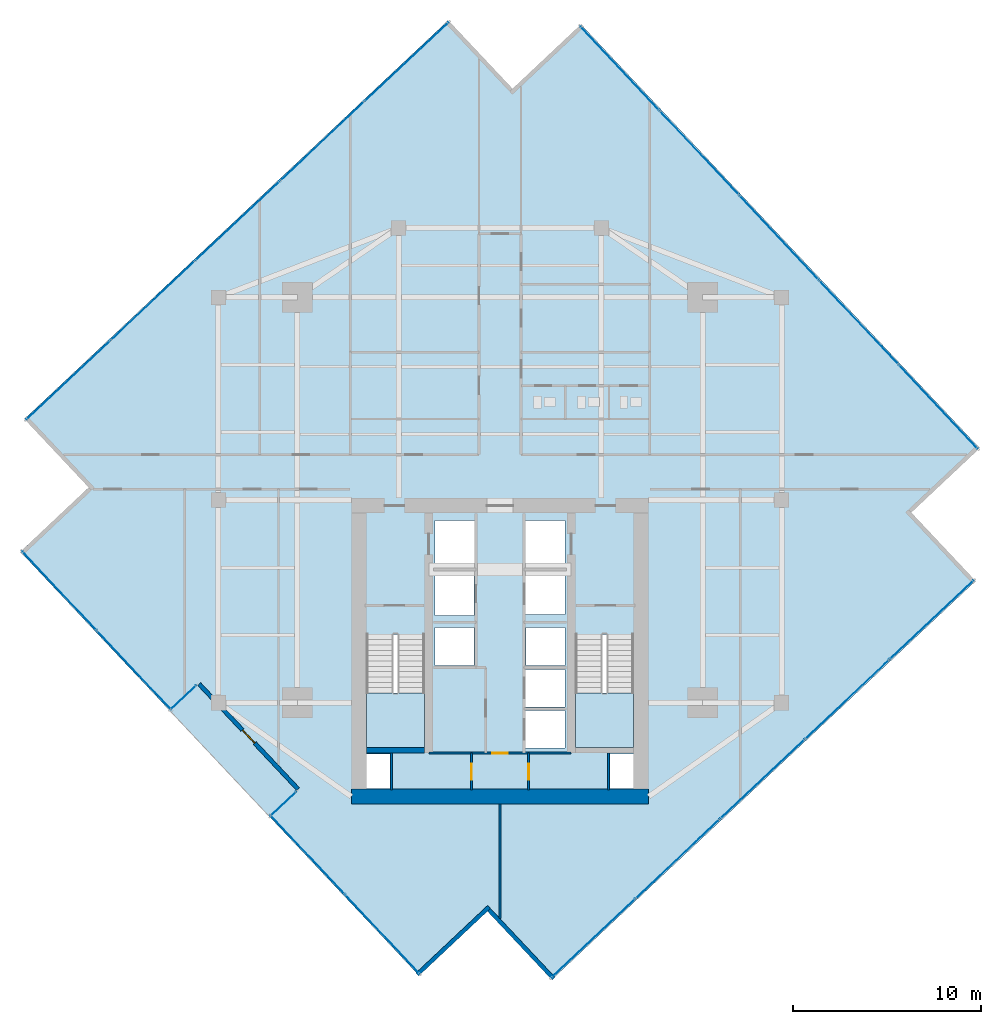
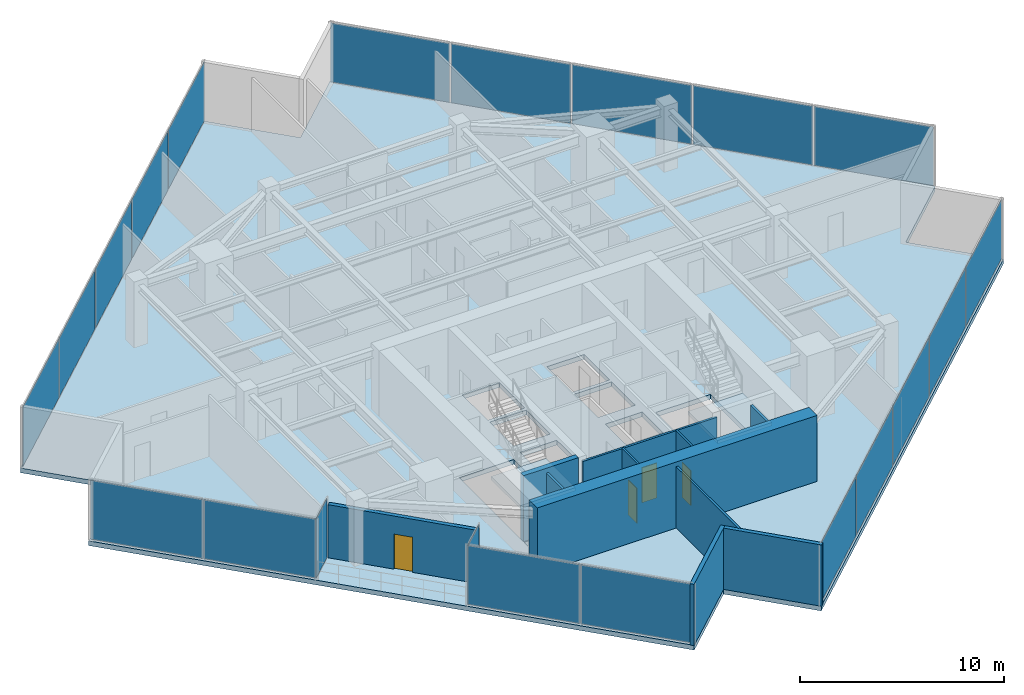
# One storey, part 20 of 25: 21 plates, 11 walls, 4 doors, 3 slabs, 4 openings, 9 elements without a shape of their own.
"""IFC4 building model written with IfcOpenShell, lengths in metres."""

from ifc_helpers import new_model, si_unit, direction, frame, frame_2d, origin, origin_2d, place, context, subcontext, project, spatial, polyline, rectangle, outline, extrude, source, transform, mapped, material, layer, layer_set, type_object, type_shapes, element, fill, aggregate, save


model = new_model("IFC4")

# Units and contexts
model_context = context("Model", 3, precision=1e-05, world=origin(), true_north=direction((0.0, 1.0)))
body_context = subcontext(model_context, "Body", "Model", "MODEL_VIEW")
ifc_project = project(units=[si_unit("LENGTHUNIT", "METRE"), si_unit("AREAUNIT", "SQUARE_METRE"), si_unit("VOLUMEUNIT", "CUBIC_METRE"), si_unit("PLANEANGLEUNIT", "RADIAN"), si_unit("MASSUNIT", "GRAM", prefix="KILO")], contexts=[model_context])

# Site, building, storey
site_placement = place(None, origin())
site = spatial("IfcSite", under=ifc_project, at=site_placement, CompositionType="ELEMENT")
building_placement = place(site_placement, origin())
building = spatial("IfcBuilding", under=site, at=building_placement, Name="Krantzveldt Concourse Tower", CompositionType="ELEMENT")
storey_placement = place(building_placement, frame((0.0, 0.0, 238.89990234375)))
storey = spatial("IfcBuildingStorey", under=building, at=storey_placement, Name="L58", CompositionType="ELEMENT", Elevation=238.89990234375)

# Stair, slab
ifc_material_1 = material(Name="Precast concrete C40/50", Category="concrete")
stair_type = type_object("IfcStairType", Name="STR-CORE-DOGLEG", PredefinedType="HALF_TURN_STAIR", material=ifc_material_1)
stair_1_placement = place(storey_placement, origin())
stair_1 = element("IfcStair", 1, at=stair_1_placement, inside=storey, type_object=stair_type, Name="L58 Protected Escape Stair ST-1", PredefinedType="HALF_TURN_STAIR")
ifc_layer_1 = layer(ifc_material_1, 0.199951171875, Name="Precast concrete C40/50", Category="concrete")
ifc_layer_set_1 = layer_set([ifc_layer_1], Name="Precast concrete C40/50 (SL-LANDING-200)")
slab_type_1 = type_object("IfcSlabType", Name="SL-LANDING-200", PredefinedType="LANDING", material=ifc_layer_set_1)
slab_1_placement = place(storey_placement, frame((0.0, 0.0, 1.775146484375)))
slab_1 = element("IfcSlab", 2, at=slab_1_placement, type_object=slab_type_1, Name="ST-1 landing 1", PredefinedType="LANDING", context=body_context, shape_type="SweptSolid", body=[
    extrude(outline(polyline([(28.8798828125, 16.4150390625), (28.8798828125, 13.52001953125), (31.97998046875, 13.52001953125), (31.97998046875, 16.4150390625), (28.8798828125, 16.4150390625)])), origin(), (0.0, 0.0, 1.0), 0.199951171875),
])
aggregate(stair_1, [slab_1])

stair_2_placement = place(storey_placement, origin())
stair_2 = element("IfcStair", 3, at=stair_2_placement, inside=storey, type_object=stair_type, Name="L58 Protected Escape Stair ST-2", PredefinedType="HALF_TURN_STAIR")
slab_2_placement = place(storey_placement, frame((0.0, 0.0, 1.775146484375)))
slab_2 = element("IfcSlab", 4, at=slab_2_placement, type_object=slab_type_1, Name="ST-2 landing 1", PredefinedType="LANDING", context=body_context, shape_type="SweptSolid", body=[
    extrude(outline(polyline([(40.02001953125, 16.4150390625), (40.02001953125, 13.52001953125), (43.1201171875, 13.52001953125), (43.1201171875, 16.4150390625), (40.02001953125, 16.4150390625)])), origin(), (0.0, 0.0, 1.0), 0.199951171875),
])
aggregate(stair_2, [slab_2])

# Slab
ifc_material_2 = material(Name="Concrete C40/50", Category="concrete")
ifc_layer_2 = layer(ifc_material_2, 0.280029296875, Name="Concrete C40/50", Category="concrete")
ifc_layer_set_2 = layer_set([ifc_layer_2], Name="Concrete C40/50 (SL-SL-TER280)")
slab_type_2 = type_object("IfcSlabType", Name="SL-SL-TER280", PredefinedType="FLOOR", material=ifc_layer_set_2)
slab_3_placement = place(storey_placement, frame((0.0, 0.0, -0.27978515625)))
element("IfcSlab", 5, at=slab_3_placement, inside=storey, type_object=slab_type_2, Name="SL-L58-MAIN", PredefinedType="FLOOR", context=body_context, shape_type="SweptSolid", body=[
    extrude(outline(polyline([(36.66943359375, 48.610107421875), (33.243408203125, 52.251953125), (10.6640625, 31.01123046875), (14.08984375, 27.369384765625), (10.447998046875, 23.943603515625), (31.688720703125, 1.364013671875), (35.33056640625, 4.789794921875), (38.756591796875, 1.14794921875), (61.3359375, 22.388671875), (57.91015625, 26.030517578125), (61.552001953125, 29.45654296875), (40.311279296875, 52.035888671875), (36.66943359375, 48.610107421875)]), holes=[polyline([(28.8798828125, 19.547607421875), (28.8798828125, 13.52001953125), (31.97998046875, 13.52001953125), (31.97998046875, 19.547607421875), (28.8798828125, 19.547607421875)]), polyline([(40.02001953125, 19.547607421875), (40.02001953125, 13.52001953125), (43.1201171875, 13.52001953125), (43.1201171875, 19.547607421875), (40.02001953125, 19.547607421875)]), polyline([(32.550048828125, 23.10009765625), (34.64990234375, 23.10009765625), (34.64990234375, 25.60009765625), (32.550048828125, 25.60009765625), (32.550048828125, 23.10009765625)]), polyline([(37.35009765625, 23.10009765625), (39.449951171875, 23.10009765625), (39.449951171875, 25.60009765625), (37.35009765625, 25.60009765625), (37.35009765625, 23.10009765625)]), polyline([(37.35009765625, 20.60009765625), (39.449951171875, 20.60009765625), (39.449951171875, 22.89990234375), (37.35009765625, 22.89990234375), (37.35009765625, 20.60009765625)]), polyline([(37.35009765625, 13.47998046875), (39.449951171875, 13.47998046875), (39.449951171875, 15.47998046875), (37.35009765625, 15.47998046875), (37.35009765625, 13.47998046875)]), polyline([(37.35009765625, 15.679931640625), (39.449951171875, 15.679931640625), (39.449951171875, 17.679931640625), (37.35009765625, 17.679931640625), (37.35009765625, 15.679931640625)]), polyline([(32.550048828125, 20.550048828125), (34.6201171875, 20.550048828125), (34.6201171875, 22.89990234375), (32.550048828125, 22.89990234375), (32.550048828125, 20.550048828125)]), polyline([(32.550048828125, 17.8798828125), (34.6201171875, 17.8798828125), (34.6201171875, 19.919921875), (32.550048828125, 19.919921875), (32.550048828125, 17.8798828125)]), polyline([(37.3798828125, 17.8798828125), (39.449951171875, 17.8798828125), (39.449951171875, 19.919921875), (37.3798828125, 19.919921875), (37.3798828125, 17.8798828125)]), polyline([(28.8798828125, 11.320068359375), (30.139892578125, 11.320068359375), (30.139892578125, 13.159912109375), (28.8798828125, 13.159912109375), (28.8798828125, 11.320068359375)]), polyline([(41.860107421875, 11.320068359375), (43.1201171875, 11.320068359375), (43.1201171875, 13.159912109375), (41.860107421875, 13.159912109375), (41.860107421875, 11.320068359375)])]), origin(), (0.0, 0.0, 1.0), 0.27978515625),
])

# Curtain wall, plate
ifc_material_3 = material(Name="Anodised aluminium 6063-T6", Category="aluminium")
curtain_wall_type_1 = type_object("IfcCurtainWallType", Name="CW6", PredefinedType="USERDEFINED", material=ifc_material_3)
curtain_wall_1_placement = place(storey_placement, origin())
curtain_wall_1 = element("IfcCurtainWall", 6, at=curtain_wall_1_placement, inside=storey, type_object=curtain_wall_type_1, Name="CW-L58-TR05", ObjectType="UNITISED CURTAIN WALL", PredefinedType="USERDEFINED")
ifc_material_4 = material(Name="Bronze-tinted laminated low-E IGU glass", Category="glass")
ifc_layer_3 = layer(ifc_material_4, 0.031982421875, Name="Bronze-tinted laminated low-E IGU glass", Category="glass")
ifc_layer_set_3 = layer_set([ifc_layer_3], Name="Bronze-tinted laminated low-E IGU glass (CW-GLZ-32)")
plate_type = type_object("IfcPlateType", Name="CW-GLZ-32", PredefinedType="CURTAIN_PANEL", material=ifc_layer_set_3)
shared_shape_1 = source(origin(), body_context, "Body", "SweptSolid", [
    extrude(rectangle(XDim=1.860107421875, YDim=0.031982421875, at=origin_2d()), origin(), (0.0, 0.0, 1.0), 3.530029296875),
])
plate_1_placement = place(storey_placement, frame((19.13134765625, 16.17236328125, 0.0703125), z_axis=(0.0, 0.0, 1.0), x_axis=(0.728372006928, 0.685181887913, 0.0)))
plate_1 = element("IfcPlate", 7, at=plate_1_placement, type_object=plate_type, Name="CW-TERR panel 1.1", PredefinedType="CURTAIN_PANEL", context=body_context, shape_type="MappedRepresentation", body=[
    mapped(shared_shape_1, transform((0.0, 0.0, 0.0), x_axis=(1.0, 0.0, 0.0), y_axis=(0.0, 1.0, 0.0), z_axis=(0.0, 0.0, 1.0), scale=1.0)),
])
aggregate(curtain_wall_1, [plate_1])

curtain_wall_2_placement = place(storey_placement, origin())
curtain_wall_2 = element("IfcCurtainWall", 8, at=curtain_wall_2_placement, inside=storey, type_object=curtain_wall_type_1, Name="CW-L58-TR07", ObjectType="UNITISED CURTAIN WALL", PredefinedType="USERDEFINED")
plate_2_placement = place(storey_placement, frame((24.462158203125, 10.505615234375, 0.0703125), z_axis=(0.0, 0.0, 1.0), x_axis=(-0.728372006928, -0.685181887913, 0.0)))
plate_2 = element("IfcPlate", 9, at=plate_2_placement, type_object=plate_type, Name="CW-TERR panel 1.1", PredefinedType="CURTAIN_PANEL", context=body_context, shape_type="MappedRepresentation", body=[
    mapped(shared_shape_1, transform((0.0, 0.0, 0.0), x_axis=(1.0, 0.0, 0.0), y_axis=(0.0, 1.0, 0.0), z_axis=(0.0, 0.0, 1.0), scale=1.0)),
])
aggregate(curtain_wall_2, [plate_2])

# Curtain wall, plates
curtain_wall_type_2 = type_object("IfcCurtainWallType", Name="CW3", PredefinedType="USERDEFINED", material=ifc_material_3)
curtain_wall_3_placement = place(storey_placement, origin())
curtain_wall_3 = element("IfcCurtainWall", 10, at=curtain_wall_3_placement, inside=storey, type_object=curtain_wall_type_2, Name="CW-L58-F01", ObjectType="UNITISED CURTAIN WALL", PredefinedType="USERDEFINED")
shared_shape_2 = source(origin(), body_context, "Body", "SweptSolid", [
    extrude(rectangle(XDim=6.094970703125, YDim=0.031982421875, at=origin_2d()), origin(), (0.0, 0.0, 1.0), 3.530029296875),
])
plate_3_placement = place(storey_placement, frame((31.034423828125, 50.05029296875, 0.0703125), z_axis=(0.0, 0.0, 1.0), x_axis=(-0.728371012348, -0.685182945184, 0.0)))
plate_3 = element("IfcPlate", 11, at=plate_3_placement, type_object=plate_type, Name="CW-Z34 panel 1.1", PredefinedType="CURTAIN_PANEL", context=body_context, shape_type="MappedRepresentation", body=[
    mapped(shared_shape_2, transform((0.0, 0.0, 0.0), x_axis=(1.0, 0.0, 0.0), y_axis=(0.0, 1.0, 0.0), z_axis=(0.0, 0.0, 1.0), scale=1.0)),
])
plate_4_placement = place(storey_placement, frame((12.996337890625, 33.081787109375, 0.0703125), z_axis=(0.0, 0.0, 1.0), x_axis=(-0.728371012348, -0.685182945184, 0.0)))
plate_4 = element("IfcPlate", 12, at=plate_4_placement, type_object=plate_type, Name="CW-Z34 panel 5.1", PredefinedType="CURTAIN_PANEL", context=body_context, shape_type="MappedRepresentation", body=[
    mapped(shared_shape_2, transform((0.0, 0.0, 0.0), x_axis=(1.0, 0.0, 0.0), y_axis=(0.0, 1.0, 0.0), z_axis=(0.0, 0.0, 1.0), scale=1.0)),
])

curtain_wall_4_placement = place(storey_placement, origin())
curtain_wall_4 = element("IfcCurtainWall", 13, at=curtain_wall_4_placement, inside=storey, type_object=curtain_wall_type_2, Name="CW-L58-F11", ObjectType="UNITISED CURTAIN WALL", PredefinedType="USERDEFINED")
plate_5_placement = place(storey_placement, frame((40.965576171875, 3.349609375, 0.0703125), z_axis=(0.0, 0.0, 1.0), x_axis=(0.728371012348, 0.685182945184, 0.0)))
plate_5 = element("IfcPlate", 14, at=plate_5_placement, type_object=plate_type, Name="CW-Z34 panel 1.1", PredefinedType="CURTAIN_PANEL", context=body_context, shape_type="MappedRepresentation", body=[
    mapped(shared_shape_2, transform((0.0, 0.0, 0.0), x_axis=(1.0, 0.0, 0.0), y_axis=(0.0, 1.0, 0.0), z_axis=(0.0, 0.0, 1.0), scale=1.0)),
])
plate_6_placement = place(storey_placement, frame((59.003662109375, 20.318115234375, 0.0703125), z_axis=(0.0, 0.0, 1.0), x_axis=(0.728371012348, 0.685182945184, 0.0)))
plate_6 = element("IfcPlate", 15, at=plate_6_placement, type_object=plate_type, Name="CW-Z34 panel 5.1", PredefinedType="CURTAIN_PANEL", context=body_context, shape_type="MappedRepresentation", body=[
    mapped(shared_shape_2, transform((0.0, 0.0, 0.0), x_axis=(1.0, 0.0, 0.0), y_axis=(0.0, 1.0, 0.0), z_axis=(0.0, 0.0, 1.0), scale=1.0)),
])

curtain_wall_5_placement = place(storey_placement, origin())
curtain_wall_5 = element("IfcCurtainWall", 16, at=curtain_wall_5_placement, inside=storey, type_object=curtain_wall_type_2, Name="CW-L58-F14", ObjectType="UNITISED CURTAIN WALL", PredefinedType="USERDEFINED")
plate_7_placement = place(storey_placement, frame((59.350341796875, 31.66552734375, 0.0703125), z_axis=(0.0, 0.0, 1.0), x_axis=(-0.685182945184, 0.728371012348, 0.0)))
plate_7 = element("IfcPlate", 17, at=plate_7_placement, type_object=plate_type, Name="CW-Z34 panel 1.1", PredefinedType="CURTAIN_PANEL", context=body_context, shape_type="MappedRepresentation", body=[
    mapped(shared_shape_2, transform((0.0, 0.0, 0.0), x_axis=(1.0, 0.0, 0.0), y_axis=(0.0, 1.0, 0.0), z_axis=(0.0, 0.0, 1.0), scale=1.0)),
])
plate_8_placement = place(storey_placement, frame((42.3818359375, 49.70361328125, 0.0703125), z_axis=(0.0, 0.0, 1.0), x_axis=(-0.685182945184, 0.728371012348, 0.0)))
plate_8 = element("IfcPlate", 18, at=plate_8_placement, type_object=plate_type, Name="CW-Z34 panel 5.1", PredefinedType="CURTAIN_PANEL", context=body_context, shape_type="MappedRepresentation", body=[
    mapped(shared_shape_2, transform((0.0, 0.0, 0.0), x_axis=(1.0, 0.0, 0.0), y_axis=(0.0, 1.0, 0.0), z_axis=(0.0, 0.0, 1.0), scale=1.0)),
])

# Plate
shared_shape_3 = source(origin(), body_context, "Body", "SweptSolid", [
    extrude(rectangle(XDim=6.1298828125, YDim=0.031982421875, at=origin_2d()), origin(), (0.0, 0.0, 1.0), 3.530029296875),
])
plate_9_placement = place(storey_placement, frame((26.53125, 45.814208984375, 0.0703125), z_axis=(0.0, 0.0, 1.0), x_axis=(-0.728371012348, -0.685182945184, 0.0)))
plate_9 = element("IfcPlate", 19, at=plate_9_placement, type_object=plate_type, Name="CW-Z34 panel 2.1", PredefinedType="CURTAIN_PANEL", context=body_context, shape_type="MappedRepresentation", body=[
    mapped(shared_shape_3, transform((0.0, 0.0, 0.0), x_axis=(1.0, 0.0, 0.0), y_axis=(0.0, 1.0, 0.0), z_axis=(0.0, 0.0, 1.0), scale=1.0)),
])

plate_10_placement = place(storey_placement, frame((22.015380859375, 41.566162109375, 0.0703125), z_axis=(0.0, 0.0, 1.0), x_axis=(-0.728371012348, -0.685182945184, 0.0)))
plate_10 = element("IfcPlate", 20, at=plate_10_placement, type_object=plate_type, Name="CW-Z34 panel 3.1", PredefinedType="CURTAIN_PANEL", context=body_context, shape_type="MappedRepresentation", body=[
    mapped(shared_shape_3, transform((0.0, 0.0, 0.0), x_axis=(1.0, 0.0, 0.0), y_axis=(0.0, 1.0, 0.0), z_axis=(0.0, 0.0, 1.0), scale=1.0)),
])

plate_11_placement = place(storey_placement, frame((17.49951171875, 37.31787109375, 0.0703125), z_axis=(0.0, 0.0, 1.0), x_axis=(-0.728371012348, -0.685182945184, 0.0)))
plate_11 = element("IfcPlate", 21, at=plate_11_placement, type_object=plate_type, Name="CW-Z34 panel 4.1", PredefinedType="CURTAIN_PANEL", context=body_context, shape_type="MappedRepresentation", body=[
    mapped(shared_shape_3, transform((0.0, 0.0, 0.0), x_axis=(1.0, 0.0, 0.0), y_axis=(0.0, 1.0, 0.0), z_axis=(0.0, 0.0, 1.0), scale=1.0)),
])

aggregate(curtain_wall_3, [plate_3, plate_9, plate_10, plate_11, plate_4])

plate_12_placement = place(storey_placement, frame((45.46875, 7.585693359375, 0.0703125), z_axis=(0.0, 0.0, 1.0), x_axis=(0.728371012348, 0.685182945184, 0.0)))
plate_12 = element("IfcPlate", 22, at=plate_12_placement, type_object=plate_type, Name="CW-Z34 panel 2.1", PredefinedType="CURTAIN_PANEL", context=body_context, shape_type="MappedRepresentation", body=[
    mapped(shared_shape_3, transform((0.0, 0.0, 0.0), x_axis=(1.0, 0.0, 0.0), y_axis=(0.0, 1.0, 0.0), z_axis=(0.0, 0.0, 1.0), scale=1.0)),
])

plate_13_placement = place(storey_placement, frame((49.984619140625, 11.833984375, 0.0703125), z_axis=(0.0, 0.0, 1.0), x_axis=(0.728371012348, 0.685182945184, 0.0)))
plate_13 = element("IfcPlate", 23, at=plate_13_placement, type_object=plate_type, Name="CW-Z34 panel 3.1", PredefinedType="CURTAIN_PANEL", context=body_context, shape_type="MappedRepresentation", body=[
    mapped(shared_shape_3, transform((0.0, 0.0, 0.0), x_axis=(1.0, 0.0, 0.0), y_axis=(0.0, 1.0, 0.0), z_axis=(0.0, 0.0, 1.0), scale=1.0)),
])

plate_14_placement = place(storey_placement, frame((54.50048828125, 16.08203125, 0.0703125), z_axis=(0.0, 0.0, 1.0), x_axis=(0.728371012348, 0.685182945184, 0.0)))
plate_14 = element("IfcPlate", 24, at=plate_14_placement, type_object=plate_type, Name="CW-Z34 panel 4.1", PredefinedType="CURTAIN_PANEL", context=body_context, shape_type="MappedRepresentation", body=[
    mapped(shared_shape_3, transform((0.0, 0.0, 0.0), x_axis=(1.0, 0.0, 0.0), y_axis=(0.0, 1.0, 0.0), z_axis=(0.0, 0.0, 1.0), scale=1.0)),
])

aggregate(curtain_wall_4, [plate_5, plate_12, plate_13, plate_14, plate_6])

plate_15_placement = place(storey_placement, frame((55.1142578125, 36.168701171875, 0.0703125), z_axis=(0.0, 0.0, 1.0), x_axis=(-0.685182945184, 0.728371012348, 0.0)))
plate_15 = element("IfcPlate", 25, at=plate_15_placement, type_object=plate_type, Name="CW-Z34 panel 2.1", PredefinedType="CURTAIN_PANEL", context=body_context, shape_type="MappedRepresentation", body=[
    mapped(shared_shape_3, transform((0.0, 0.0, 0.0), x_axis=(1.0, 0.0, 0.0), y_axis=(0.0, 1.0, 0.0), z_axis=(0.0, 0.0, 1.0), scale=1.0)),
])

plate_16_placement = place(storey_placement, frame((50.865966796875, 40.6845703125, 0.0703125), z_axis=(0.0, 0.0, 1.0), x_axis=(-0.685182945184, 0.728371012348, 0.0)))
plate_16 = element("IfcPlate", 26, at=plate_16_placement, type_object=plate_type, Name="CW-Z34 panel 3.1", PredefinedType="CURTAIN_PANEL", context=body_context, shape_type="MappedRepresentation", body=[
    mapped(shared_shape_3, transform((0.0, 0.0, 0.0), x_axis=(1.0, 0.0, 0.0), y_axis=(0.0, 1.0, 0.0), z_axis=(0.0, 0.0, 1.0), scale=1.0)),
])

plate_17_placement = place(storey_placement, frame((46.617919921875, 45.200439453125, 0.0703125), z_axis=(0.0, 0.0, 1.0), x_axis=(-0.685182945184, 0.728371012348, 0.0)))
plate_17 = element("IfcPlate", 27, at=plate_17_placement, type_object=plate_type, Name="CW-Z34 panel 4.1", PredefinedType="CURTAIN_PANEL", context=body_context, shape_type="MappedRepresentation", body=[
    mapped(shared_shape_3, transform((0.0, 0.0, 0.0), x_axis=(1.0, 0.0, 0.0), y_axis=(0.0, 1.0, 0.0), z_axis=(0.0, 0.0, 1.0), scale=1.0)),
])

aggregate(curtain_wall_5, [plate_7, plate_15, plate_16, plate_17, plate_8])

# Curtain wall, plates
curtain_wall_6_placement = place(storey_placement, origin())
curtain_wall_6 = element("IfcCurtainWall", 28, at=curtain_wall_6_placement, inside=storey, type_object=curtain_wall_type_2, Name="CW-L58-F04", ObjectType="UNITISED CURTAIN WALL", PredefinedType="USERDEFINED")
shared_shape_4 = source(origin(), body_context, "Body", "SweptSolid", [
    extrude(rectangle(XDim=5.7451171875, YDim=0.031982421875, at=origin_2d()), origin(), (0.0, 0.0, 1.0), 3.530029296875),
])
type_shapes(plate_type, [shared_shape_1, shared_shape_2, shared_shape_3, shared_shape_4])
plate_18_placement = place(storey_placement, frame((12.52978515625, 21.862060546875, 0.0703125), z_axis=(0.0, 0.0, 1.0), x_axis=(0.685182960414, -0.728370998021, 0.0)))
plate_18 = element("IfcPlate", 29, at=plate_18_placement, type_object=plate_type, Name="CW-Z34 panel 1.1", PredefinedType="CURTAIN_PANEL", context=body_context, shape_type="MappedRepresentation", body=[
    mapped(shared_shape_4, transform((0.0, 0.0, 0.0), x_axis=(1.0, 0.0, 0.0), y_axis=(0.0, 1.0, 0.0), z_axis=(0.0, 0.0, 1.0), scale=1.0)),
])
plate_19_placement = place(storey_placement, frame((16.51416015625, 17.62646484375, 0.0703125), z_axis=(0.0, 0.0, 1.0), x_axis=(0.685182960414, -0.728370998021, 0.0)))
plate_19 = element("IfcPlate", 30, at=plate_19_placement, type_object=plate_type, Name="CW-Z34 panel 2.1", PredefinedType="CURTAIN_PANEL", context=body_context, shape_type="MappedRepresentation", body=[
    mapped(shared_shape_4, transform((0.0, 0.0, 0.0), x_axis=(1.0, 0.0, 0.0), y_axis=(0.0, 1.0, 0.0), z_axis=(0.0, 0.0, 1.0), scale=1.0)),
])
aggregate(curtain_wall_6, [plate_18, plate_19])

curtain_wall_7_placement = place(storey_placement, origin())
curtain_wall_7 = element("IfcCurtainWall", 31, at=curtain_wall_7_placement, inside=storey, type_object=curtain_wall_type_2, Name="CW-L58-F08", ObjectType="UNITISED CURTAIN WALL", PredefinedType="USERDEFINED")
plate_20_placement = place(storey_placement, frame((25.75390625, 7.804443359375, 0.0703125), z_axis=(0.0, 0.0, 1.0), x_axis=(0.685182960414, -0.728370998021, 0.0)))
plate_20 = element("IfcPlate", 32, at=plate_20_placement, type_object=plate_type, Name="CW-Z34 panel 1.1", PredefinedType="CURTAIN_PANEL", context=body_context, shape_type="MappedRepresentation", body=[
    mapped(shared_shape_4, transform((0.0, 0.0, 0.0), x_axis=(1.0, 0.0, 0.0), y_axis=(0.0, 1.0, 0.0), z_axis=(0.0, 0.0, 1.0), scale=1.0)),
])
plate_21_placement = place(storey_placement, frame((29.738037109375, 3.56884765625, 0.0703125), z_axis=(0.0, 0.0, 1.0), x_axis=(0.685182960414, -0.728370998021, 0.0)))
plate_21 = element("IfcPlate", 33, at=plate_21_placement, type_object=plate_type, Name="CW-Z34 panel 2.1", PredefinedType="CURTAIN_PANEL", context=body_context, shape_type="MappedRepresentation", body=[
    mapped(shared_shape_4, transform((0.0, 0.0, 0.0), x_axis=(1.0, 0.0, 0.0), y_axis=(0.0, 1.0, 0.0), z_axis=(0.0, 0.0, 1.0), scale=1.0)),
])
aggregate(curtain_wall_7, [plate_20, plate_21])

# Wall, opening, door
ifc_layer_4 = layer(ifc_material_3, 0.219970703125, Name="Anodised aluminium 6063-T6", Category="aluminium")
ifc_layer_set_4 = layer_set([ifc_layer_4], Name="Anodised aluminium 6063-T6 (WL-EXT-NOTCH220)")
wall_type_1 = type_object("IfcWallType", Name="WL-EXT-NOTCH220", PredefinedType="ELEMENTEDWALL", material=ifc_layer_set_4)
wall_1_placement = place(storey_placement, frame((25.23974609375, 11.298828125, 0.0), z_axis=(0.0, 0.0, 1.0), x_axis=(-0.685172559646, 0.728380781946, 0.0)))
wall_1 = element("IfcWall", 34, at=wall_1_placement, inside=storey, type_object=wall_type_1, Name="EW-L58-TSLOT", PredefinedType="ELEMENTEDWALL", context=body_context, shape_type="SweptSolid", body=[
    extrude(rectangle(XDim=7.690185546875, YDim=0.219970703125, at=frame_2d((3.84521484375, 0.0))), origin(), (0.0, 0.0, 1.0), 3.18017578125),
])
opening_1_placement = place(wall_1_placement, frame((3.3701171875, 0.0, 0.0)))
opening_1 = element("IfcOpeningElement", 35, at=opening_1_placement, cuts=wall_1, Name="Opening D-EX95", PredefinedType="OPENING", context=body_context, shape_type="SweptSolid", body=[
    extrude(rectangle(XDim=0.949951171875, YDim=2.10009765625, at=frame_2d((0.47509765625, 1.050048828125))), frame((0.0, 0.1201171875, 0.0), z_axis=(0.0, -1.0, 0.0), x_axis=(1.0, 0.0, 0.0)), (0.0, 0.0, 1.0), 0.239990234375),
])
door_type_1 = type_object("IfcDoorType", Name="DR-EXT-950", OperationType="SINGLE_SWING_LEFT", PredefinedType="DOOR", material=ifc_material_3)
door_1_placement = place(opening_1_placement, origin())
door_1 = element("IfcDoor", 36, at=door_1_placement, inside=storey, type_object=door_type_1, Name="DR-L58-TERR", OperationType="SINGLE_SWING_LEFT", OverallHeight=2.10009765625, OverallWidth=0.949951171875, PredefinedType="DOOR", context=body_context, shape_type="SweptSolid", body=[
    extrude(rectangle(XDim=0.949951171875, YDim=2.10009765625, at=frame_2d((0.47509765625, 1.050048828125))), frame((0.0, 0.02490234375, 0.0), z_axis=(0.0, -1.0, 0.0), x_axis=(1.0, 0.0, 0.0)), (0.0, 0.0, 1.0), 0.050048828125),
])
fill(opening_1, door_1)

# Walls
wall_2_placement = place(storey_placement, frame((31.59521484375, 1.427001953125, 0.0), z_axis=(0.0, 0.0, 1.0), x_axis=(0.728374884992, 0.685178828418, 0.0)))
element("IfcWall", 37, at=wall_2_placement, inside=storey, type_object=wall_type_1, Name="EW-L58-NCH09", PredefinedType="ELEMENTEDWALL", context=body_context, shape_type="SweptSolid", body=[
    extrude(rectangle(XDim=5.244873046875, YDim=0.219970703125, at=frame_2d((2.62255859375, 0.0))), origin(), (0.0, 0.0, 1.0), 3.670166015625),
])
wall_3_placement = place(storey_placement, frame((35.41064453125, 4.865234375, 0.0), z_axis=(0.0, 0.0, 1.0), x_axis=(0.685205552999, -0.728349744381, 0.0)))
element("IfcWall", 38, at=wall_3_placement, inside=storey, type_object=wall_type_1, Name="EW-L58-NCH10", PredefinedType="ELEMENTEDWALL", context=body_context, shape_type="SweptSolid", body=[
    extrude(rectangle(XDim=5.02490234375, YDim=0.219970703125, at=frame_2d((2.512451171875, 0.0))), origin(), (0.0, 0.0, 1.0), 3.670166015625),
])

# Wall, opening, door
ifc_material_5 = material(Name="Fire-rated gypsum plasterboard on steel stud", Category="steel")
ifc_layer_5 = layer(ifc_material_5, 0.1201171875, Name="Fire-rated gypsum plasterboard on steel stud", Category="steel")
ifc_layer_set_5 = layer_set([ifc_layer_5], Name="Fire-rated gypsum plasterboard on steel stud (WL-PART-120)")
wall_type_2 = type_object("IfcWallType", Name="WL-PART-120", PredefinedType="PARTITIONING", material=ifc_layer_set_5)
wall_4_placement = place(storey_placement, frame((32.2099609375, 13.219970703125, 0.0), z_axis=(0.0, 0.0, 1.0), x_axis=(1.0, 0.0, 0.0)))
wall_4 = element("IfcWall", 39, at=wall_4_placement, inside=storey, type_object=wall_type_2, Name="WP-L58-CS2H", PredefinedType="PARTITIONING", context=body_context, shape_type="SweptSolid", body=[
    extrude(rectangle(XDim=7.580078125, YDim=0.1201171875, at=frame_2d((3.7900390625, 0.0))), origin(), (0.0, 0.0, 1.0), 3.670166015625),
])
opening_2_placement = place(wall_4_placement, frame((3.364990234375, 0.0, 0.0)))
opening_2 = element("IfcOpeningElement", 40, at=opening_2_placement, cuts=wall_4, Name="Opening D-IN085", PredefinedType="OPENING", context=body_context, shape_type="SweptSolid", body=[
    extrude(rectangle(XDim=0.85009765625, YDim=2.10009765625, at=frame_2d((0.425048828125, 1.050048828125))), frame((0.0, 0.070068359375, 0.0), z_axis=(0.0, -1.0, 0.0), x_axis=(1.0, 0.0, 0.0)), (0.0, 0.0, 1.0), 0.14013671875),
])
ifc_material_6 = material(Name="Hardwood timber", Category="wood")
door_type_2 = type_object("IfcDoorType", Name="DR-INT-850", OperationType="SINGLE_SWING_LEFT", PredefinedType="DOOR", material=ifc_material_6)
door_2_placement = place(opening_2_placement, origin())
door_2 = element("IfcDoor", 41, at=door_2_placement, inside=storey, type_object=door_type_2, Name="DR-L58-LLBS", OperationType="SINGLE_SWING_RIGHT", OverallHeight=2.10009765625, OverallWidth=0.85009765625, PredefinedType="DOOR", context=body_context, shape_type="SweptSolid", body=[
    extrude(rectangle(XDim=0.85009765625, YDim=2.10009765625, at=frame_2d((0.425048828125, 1.050048828125))), frame((0.0, 0.02490234375, 0.0), z_axis=(0.0, -1.0, 0.0), x_axis=(1.0, 0.0, 0.0)), (0.0, 0.0, 1.0), 0.050048828125),
])
fill(opening_2, door_2)

wall_5_placement = place(storey_placement, frame((34.47998046875, 11.25, 0.0), z_axis=(0.0, 0.0, 1.0), x_axis=(0.0, 1.0, 0.0)))
wall_5 = element("IfcWall", 42, at=wall_5_placement, inside=storey, type_object=wall_type_2, Name="WP-L58-CSB-VL", PredefinedType="PARTITIONING", context=body_context, shape_type="SweptSolid", body=[
    extrude(rectangle(XDim=1.969970703125, YDim=0.1201171875, at=frame_2d((0.98486328125, 0.0))), origin(), (0.0, 0.0, 1.0), 3.670166015625),
])
opening_3_placement = place(wall_5_placement, frame((0.544921875, 0.0, 0.0)))
opening_3 = element("IfcOpeningElement", 43, at=opening_3_placement, cuts=wall_5, Name="Opening D-IN085", PredefinedType="OPENING", context=body_context, shape_type="SweptSolid", body=[
    extrude(rectangle(XDim=0.85009765625, YDim=2.10009765625, at=frame_2d((0.425048828125, 1.050048828125))), frame((0.0, 0.070068359375, 0.0), z_axis=(0.0, -1.0, 0.0), x_axis=(1.0, 0.0, 0.0)), (0.0, 0.0, 1.0), 0.14013671875),
])
door_3_placement = place(opening_3_placement, origin())
door_3 = element("IfcDoor", 44, at=door_3_placement, inside=storey, type_object=door_type_2, Name="DR-L58-CSB1", OperationType="SINGLE_SWING_LEFT", OverallHeight=2.10009765625, OverallWidth=0.85009765625, PredefinedType="DOOR", context=body_context, shape_type="SweptSolid", body=[
    extrude(rectangle(XDim=0.85009765625, YDim=2.10009765625, at=frame_2d((0.425048828125, 1.050048828125))), frame((0.0, 0.02490234375, 0.0), z_axis=(0.0, -1.0, 0.0), x_axis=(1.0, 0.0, 0.0)), (0.0, 0.0, 1.0), 0.050048828125),
])
fill(opening_3, door_3)

wall_6_placement = place(storey_placement, frame((37.52001953125, 11.25, 0.0), z_axis=(0.0, 0.0, 1.0), x_axis=(0.0, 1.0, 0.0)))
wall_6 = element("IfcWall", 45, at=wall_6_placement, inside=storey, type_object=wall_type_2, Name="WP-L58-CSB-VR", PredefinedType="PARTITIONING", context=body_context, shape_type="SweptSolid", body=[
    extrude(rectangle(XDim=1.969970703125, YDim=0.1201171875, at=frame_2d((0.98486328125, 0.0))), origin(), (0.0, 0.0, 1.0), 3.670166015625),
])
opening_4_placement = place(wall_6_placement, frame((0.544921875, 0.0, 0.0)))
opening_4 = element("IfcOpeningElement", 46, at=opening_4_placement, cuts=wall_6, Name="Opening D-IN085", PredefinedType="OPENING", context=body_context, shape_type="SweptSolid", body=[
    extrude(rectangle(XDim=0.85009765625, YDim=2.10009765625, at=frame_2d((0.425048828125, 1.050048828125))), frame((0.0, 0.070068359375, 0.0), z_axis=(0.0, -1.0, 0.0), x_axis=(1.0, 0.0, 0.0)), (0.0, 0.0, 1.0), 0.14013671875),
])
door_4_placement = place(opening_4_placement, origin())
door_4 = element("IfcDoor", 47, at=door_4_placement, inside=storey, type_object=door_type_2, Name="DR-L58-CSB2", OperationType="SINGLE_SWING_RIGHT", OverallHeight=2.10009765625, OverallWidth=0.85009765625, PredefinedType="DOOR", context=body_context, shape_type="SweptSolid", body=[
    extrude(rectangle(XDim=0.85009765625, YDim=2.10009765625, at=frame_2d((0.425048828125, 1.050048828125))), frame((0.0, 0.02490234375, 0.0), z_axis=(0.0, -1.0, 0.0), x_axis=(1.0, 0.0, 0.0)), (0.0, 0.0, 1.0), 0.050048828125),
])
fill(opening_4, door_4)

# Walls
wall_7_placement = place(storey_placement, frame((36.0, 4.40673828125, 0.0), z_axis=(0.0, 0.0, 1.0), x_axis=(0.0, 1.0, 0.0)))
element("IfcWall", 48, at=wall_7_placement, inside=storey, type_object=wall_type_2, Name="WP-L58-SMID", PredefinedType="PARTITIONING", context=body_context, shape_type="SweptSolid", body=[
    extrude(rectangle(XDim=6.09326171875, YDim=0.1201171875, at=frame_2d((3.046630859375, 0.0))), origin(), (0.0, 0.0, 1.0), 3.670166015625),
])
ifc_layer_6 = layer(ifc_material_5, 0.139892578125, Name="Fire-rated gypsum plasterboard on steel stud", Category="steel")
ifc_layer_set_6 = layer_set([ifc_layer_6], Name="Fire-rated gypsum plasterboard on steel stud (WL-PART-FR140)")
wall_type_3 = type_object("IfcWallType", Name="WL-PART-FR140", PredefinedType="PARTITIONING", material=ifc_layer_set_6)
for number, where, z_axis, x_axis, name in (
    (49, (30.219970703125, 11.25, 0.0), (0.0, 0.0, 1.0), (0.0, 1.0, 0.0), "WP-L58-RSW"),
    (50, (41.780029296875, 11.25, 0.0), (0.0, 0.0, 1.0), (0.0, 1.0, 0.0), "WP-L58-RSE"),
):
    element("IfcWall", number, at=place(storey_placement, frame(where, z_axis=z_axis, x_axis=x_axis)), inside=storey, type_object=wall_type_3, Name=name, PredefinedType="PARTITIONING", context=body_context, shape_type="SweptSolid", body=[
        extrude(rectangle(XDim=1.969970703125, YDim=0.1201171875, at=frame_2d((0.98486328125, 0.0))), origin(), (0.0, 0.0, 1.0), 3.670166015625),
    ])
ifc_material_7 = material(Name="Concrete C50/60", Category="concrete")
ifc_layer_7 = layer(ifc_material_7, 0.300048828125, Name="Concrete C50/60", Category="concrete")
ifc_layer_set_7 = layer_set([ifc_layer_7], Name="Concrete C50/60 (WL-SHEAR-300)")
wall_type_4 = type_object("IfcWallType", Name="WL-SHEAR-300", PredefinedType="SHEAR", material=ifc_layer_set_7)
wall_8_placement = place(storey_placement, frame((28.8798828125, 13.3701171875, 0.0), z_axis=(0.0, 0.0, 1.0), x_axis=(1.0, 0.0, 0.0)))
element("IfcWall", 51, at=wall_8_placement, inside=storey, type_object=wall_type_4, Name="CW-L58-ST1S", PredefinedType="SHEAR", context=body_context, shape_type="SweptSolid", body=[
    extrude(rectangle(XDim=3.10009765625, YDim=0.300048828125, at=frame_2d((1.550048828125, 0.0))), origin(), (0.0, 0.0, 1.0), 3.9501953125),
])
ifc_material_8 = material(Name="Concrete C60/75", Category="concrete")
ifc_layer_8 = layer(ifc_material_8, 0.800048828125, Name="Concrete C60/75", Category="concrete")
ifc_layer_set_8 = layer_set([ifc_layer_8], Name="Concrete C60/75 (WL-SHEAR-800)")
wall_type_5 = type_object("IfcWallType", Name="WL-SHEAR-800", PredefinedType="SHEAR", material=ifc_layer_set_8)
wall_9_placement = place(storey_placement, frame((28.080078125, 10.89990234375, 0.0), z_axis=(0.0, 0.0, 1.0), x_axis=(1.0, 0.0, 0.0)))
element("IfcWall", 52, at=wall_9_placement, inside=storey, type_object=wall_type_5, Name="CW-L58-S", PredefinedType="SHEAR", context=body_context, shape_type="SweptSolid", body=[
    extrude(rectangle(XDim=15.83984375, YDim=0.800048828125, at=frame_2d((7.919921875, 0.0))), origin(), (0.0, 0.0, 1.0), 3.9501953125),
])

save(model, "model.ifc")
